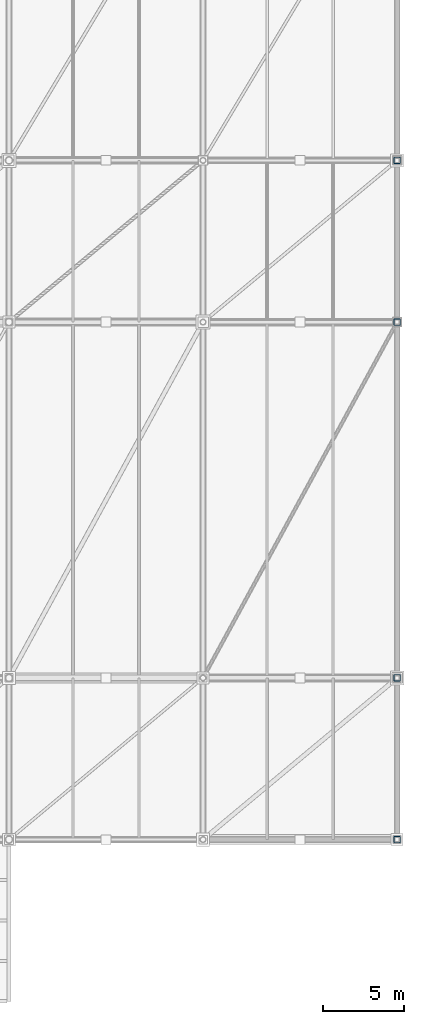
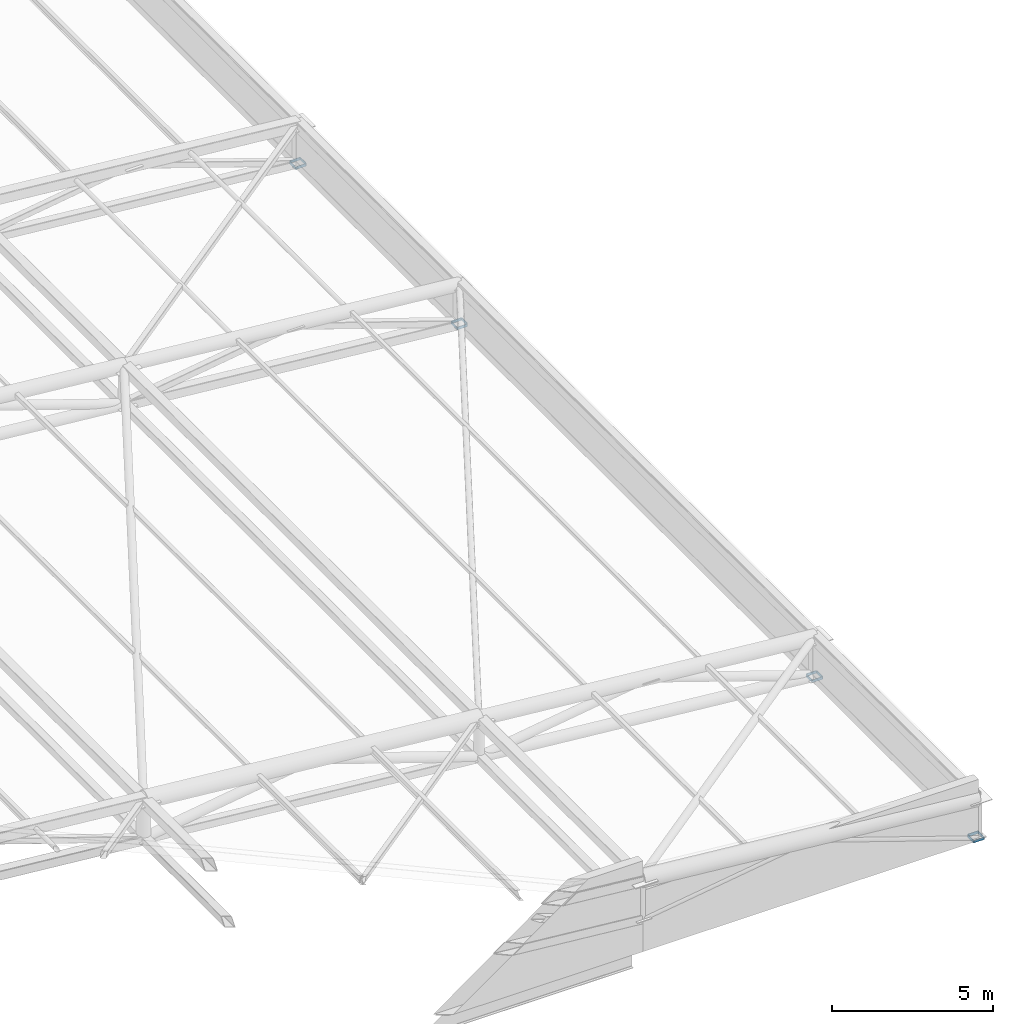
# One storey, part 3 of 44: 4 columns.
"""IFC4 building model written with IfcOpenShell, lengths in metres."""

from ifc_helpers import new_model, si_unit, direction, frame, origin, origin_2d, place, context, subcontext, project, spatial, hollow_rectangle, extrude, material, material_profile, profile_set, type_object, element, save


model = new_model("IFC4")

# Units and contexts
model_context = context("Model", 3, precision=1e-05, world=origin(), true_north=direction((0.0, 1.0)))
body_context = subcontext(model_context, "Body", "Model", "MODEL_VIEW")
ifc_project = project(units=[si_unit("LENGTHUNIT", "METRE"), si_unit("AREAUNIT", "SQUARE_METRE"), si_unit("VOLUMEUNIT", "CUBIC_METRE"), si_unit("PLANEANGLEUNIT", "RADIAN"), si_unit("MASSUNIT", "GRAM", prefix="KILO")], contexts=[model_context])

# Site, building, storey
site_placement = place(None, origin())
site = spatial("IfcSite", under=ifc_project, at=site_placement, CompositionType="ELEMENT")
building_placement = place(site_placement, origin())
building = spatial("IfcBuilding", under=site, at=building_placement, Name="Brinegate Civic Arena", CompositionType="ELEMENT")
storey_placement = place(building_placement, frame((0.0, 0.0, 29.39990234375)))
storey = spatial("IfcBuildingStorey", under=building, at=storey_placement, Name="RF", CompositionType="ELEMENT", Elevation=29.39990234375)

# Columns
ifc_material = material(Name="Steel S355", Category="steel")
ifc_material_profile = material_profile(ifc_material, hollow_rectangle(XDim=0.39990234375, YDim=0.39990234375, WallThickness=0.02001953125, InnerFilletRadius=0.02001953125, OuterFilletRadius=0.0400390625, at=origin_2d()), Name="SHS400X20")
ifc_profile_set = profile_set([ifc_material_profile], Name="Steel S355")
column_type = type_object("IfcColumnType", Name="COL-SC03-SHS400", PredefinedType="COLUMN", material=ifc_profile_set)
for number, where, z_axis, x_axis, name in (
    (1, (156.0, 10.0, 0.0), (0.0, 0.0, 1.0), (1.0, 0.0, 0.0), "Space Frame East Drum Column E-01-RF"),
    (2, (156.0, 20.0, 0.0), (0.0, 0.0, 1.0), (1.0, 0.0, 0.0), "Space Frame East Drum Column E-02-RF"),
    (3, (156.0, 42.0, 0.0), (0.0, 0.0, 1.0), (1.0, 0.0, 0.0), "Space Frame East Drum Column E-03-RF"),
    (4, (156.0, 52.0, 0.0), (0.0, 0.0, 1.0), (1.0, 0.0, 0.0), "Space Frame East Drum Column E-04-RF"),
):
    element("IfcColumn", number, at=place(storey_placement, frame(where, z_axis=z_axis, x_axis=x_axis)), inside=storey, type_object=column_type, Name=name, PredefinedType="COLUMN", context=body_context, shape_type="SweptSolid", body=[
        extrude(hollow_rectangle(XDim=0.39990234375, YDim=0.39990234375, WallThickness=0.02001953125, InnerFilletRadius=0.02001953125, OuterFilletRadius=0.0400390625, at=origin_2d()), origin(), (0.0, 0.0, 1.0), 0.10009765625),
    ])

save(model, "model.ifc")
